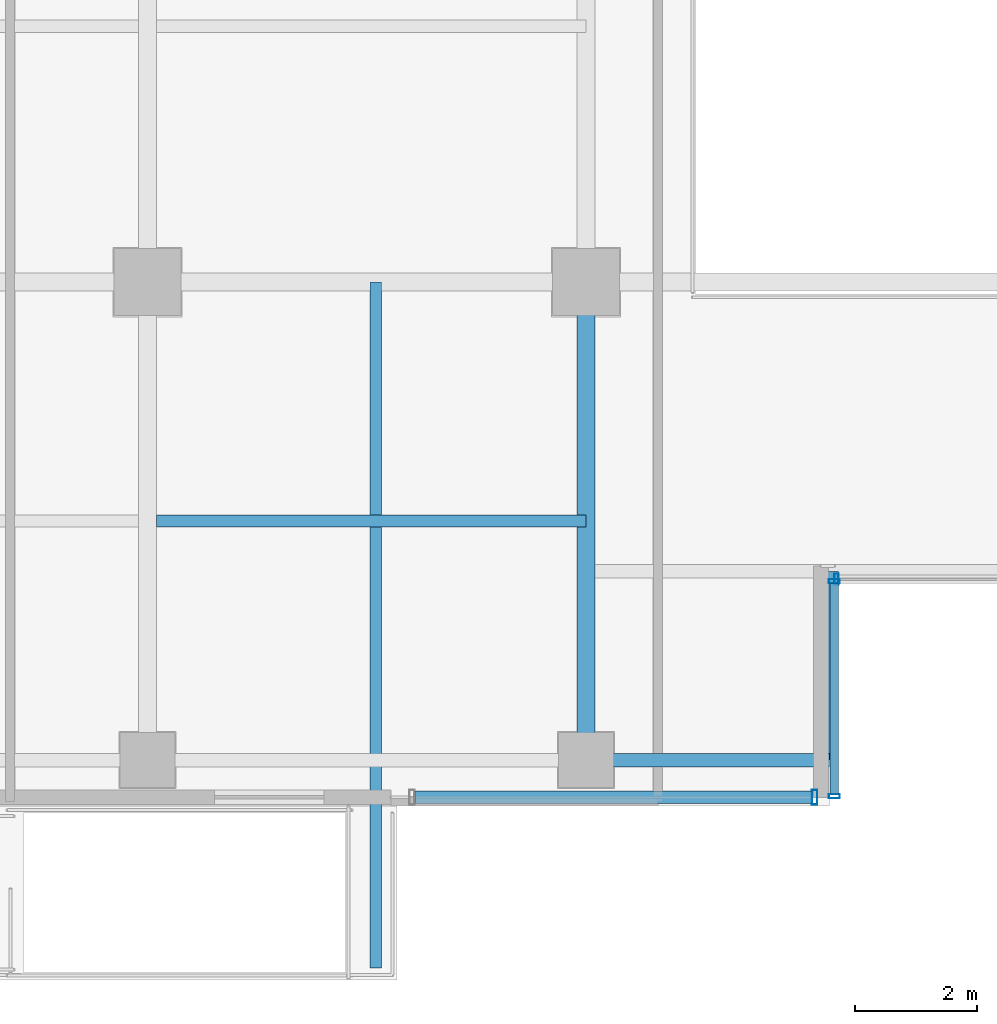
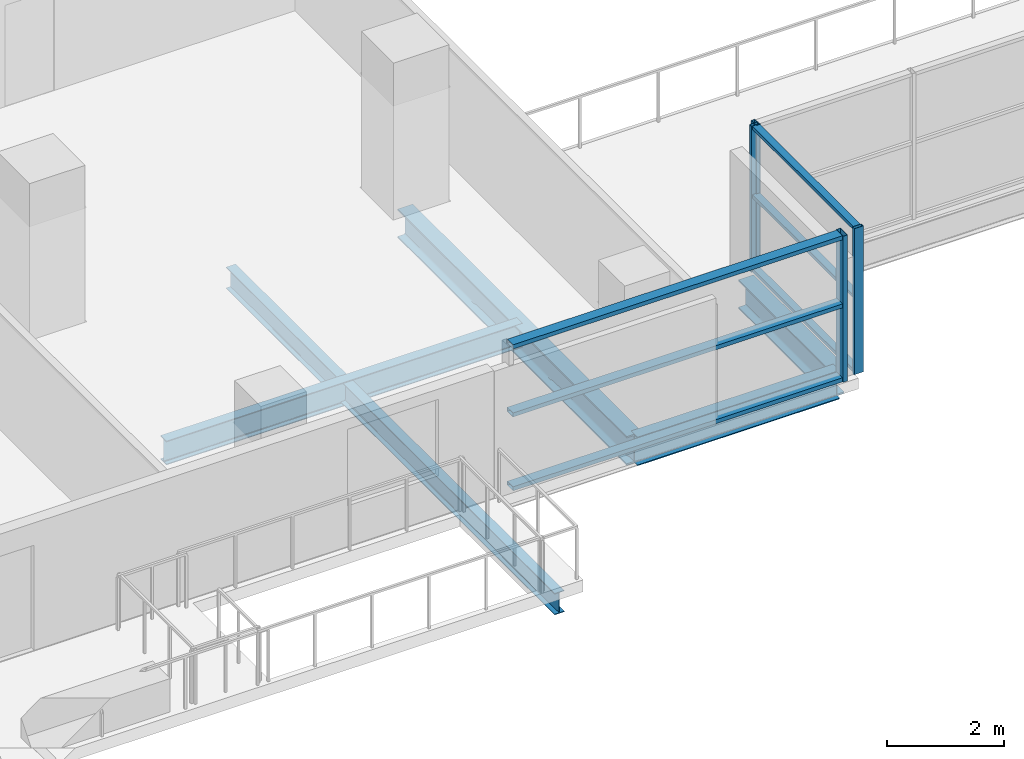
# One storey, part 6 of 30: 10 members, 5 beams, 3 elements without a shape of their own.
"""IFC4 building model written with IfcOpenShell, lengths in metres."""

from ifc_helpers import new_model, si_unit, direction, frame, origin, origin_2d, place, context, subcontext, project, spatial, hollow_rectangle, i_section, extrude, source, transform, mapped, material, layer, layer_set, material_profile, profile_set, type_object, element, aggregate, save


model = new_model("IFC4")

# Units and contexts
model_context = context("Model", 3, precision=1e-05, world=origin(), true_north=direction((0.0, 1.0)))
body_context = subcontext(model_context, "Body", "Model", "MODEL_VIEW")
ifc_project = project(units=[si_unit("LENGTHUNIT", "METRE"), si_unit("AREAUNIT", "SQUARE_METRE"), si_unit("VOLUMEUNIT", "CUBIC_METRE"), si_unit("PLANEANGLEUNIT", "RADIAN"), si_unit("MASSUNIT", "GRAM", prefix="KILO")], contexts=[model_context])

# Site, building, storey
site_placement = place(None, origin())
site = spatial("IfcSite", under=ifc_project, at=site_placement, CompositionType="ELEMENT")
building_placement = place(site_placement, origin())
building = spatial("IfcBuilding", under=site, at=building_placement, Name="Zarnakvel Exchange Tower", CompositionType="ELEMENT")
storey_placement = place(building_placement, frame((0.0, 0.0, 30.699951171875)))
storey = spatial("IfcBuildingStorey", under=building, at=storey_placement, Name="L07", CompositionType="ELEMENT", Elevation=30.699951171875)

# Beams
ifc_material_1 = material(Name="Steel S355", Category="steel")
ifc_material_profile_1 = material_profile(ifc_material_1, i_section(OverallWidth=0.199951171875, OverallDepth=0.5, WebThickness=0.01025390625, FlangeThickness=0.01611328125, FilletRadius=0.02099609375, at=origin_2d()))
ifc_profile_set_1 = profile_set([ifc_material_profile_1], Name="Steel S355")
beam_type_1 = type_object("IfcBeamType", Name="B-04", PredefinedType="JOIST", material=ifc_profile_set_1)
beam_1_placement = place(storey_placement, frame((-14.25, -13.52490234375, -0.474853515625), z_axis=(1.0, 0.0, 0.0), x_axis=(0.0, 1.0, 0.0)))
element("IfcBeam", 1, at=beam_1_placement, inside=storey, type_object=beam_type_1, Name="L07 Composite Floor Secondary Joist", PredefinedType="JOIST", context=body_context, shape_type="SweptSolid", body=[
    extrude(i_section(OverallWidth=0.199951171875, OverallDepth=0.5, WebThickness=0.01025390625, FlangeThickness=0.01611328125, FilletRadius=0.02099609375, at=origin_2d()), origin(), (0.0, 0.0, 1.0), 7.050048828125),
])
ifc_material_profile_2 = material_profile(ifc_material_1, i_section(OverallWidth=0.18994140625, OverallDepth=0.449951171875, WebThickness=0.009521484375, FlangeThickness=0.0146484375, FilletRadius=0.02099609375, at=origin_2d()))
ifc_profile_set_2 = profile_set([ifc_material_profile_2], Name="Steel S355")
beam_type_2 = type_object("IfcBeamType", Name="B-05", PredefinedType="JOIST", material=ifc_profile_set_2)
beam_2_placement = place(storey_placement, frame((-10.64990234375, -9.60009765625, -0.474853515625), z_axis=(0.0, -1.0, 0.0), x_axis=(1.0, 0.0, 0.0)))
element("IfcBeam", 2, at=beam_2_placement, inside=storey, type_object=beam_type_2, Name="L07 Continuous Spiral Terrace Beam E", PredefinedType="JOIST", context=body_context, shape_type="SweptSolid", body=[
    extrude(i_section(OverallWidth=0.18994140625, OverallDepth=0.449951171875, WebThickness=0.009521484375, FlangeThickness=0.0146484375, FilletRadius=0.02099609375, at=origin_2d()), origin(), (0.0, 0.0, 1.0), 11.260009765625),
])
ifc_material_profile_3 = material_profile(ifc_material_1, i_section(OverallWidth=0.300048828125, OverallDepth=0.60009765625, WebThickness=0.015380859375, FlangeThickness=0.030029296875, FilletRadius=0.027099609375, at=origin_2d()))
ifc_profile_set_3 = profile_set([ifc_material_profile_3], Name="Steel S355")
beam_type_3 = type_object("IfcBeamType", Name="G-04", PredefinedType="BEAM", material=ifc_profile_set_3)
beam_3_placement = place(storey_placement, frame((-3.199951171875, -17.449951171875, -0.52490234375), z_axis=(0.0, 1.0, 0.0), x_axis=(-1.0, 0.0, 0.0)))
element("IfcBeam", 3, at=beam_3_placement, inside=storey, type_object=beam_type_3, Name="L07 South Slot West Cheek Beam", PredefinedType="BEAM", context=body_context, shape_type="SweptSolid", body=[
    extrude(i_section(OverallWidth=0.300048828125, OverallDepth=0.60009765625, WebThickness=0.015380859375, FlangeThickness=0.030029296875, FilletRadius=0.027099609375, at=origin_2d()), origin(), (0.0, 0.0, 1.0), 3.099853515625),
])
beam_4_placement = place(storey_placement, frame((-7.199951171875, -17.449951171875, -0.52490234375), z_axis=(0.0, 1.0, 0.0), x_axis=(-1.0, 0.0, 0.0)))
element("IfcBeam", 4, at=beam_4_placement, inside=storey, type_object=beam_type_3, Name="L07 Tower N-S Frame Beam", PredefinedType="BEAM", context=body_context, shape_type="SweptSolid", body=[
    extrude(i_section(OverallWidth=0.300048828125, OverallDepth=0.60009765625, WebThickness=0.015380859375, FlangeThickness=0.030029296875, FilletRadius=0.027099609375, at=origin_2d()), origin(), (0.0, 0.0, 1.0), 7.849853515625),
])
ifc_material_profile_4 = material_profile(ifc_material_1, i_section(OverallWidth=0.219970703125, OverallDepth=0.60009765625, WebThickness=0.011962890625, FlangeThickness=0.01904296875, FilletRadius=0.02392578125, at=origin_2d()))
ifc_profile_set_4 = profile_set([ifc_material_profile_4], Name="Steel S355")
beam_type_4 = type_object("IfcBeamType", Name="SP-01", PredefinedType="SPANDREL", material=ifc_profile_set_4)
beam_5_placement = place(storey_placement, frame((-7.199951171875, -17.449951171875, -0.52490234375), z_axis=(1.0, 0.0, 0.0), x_axis=(0.0, 1.0, 0.0)))
element("IfcBeam", 5, at=beam_5_placement, inside=storey, type_object=beam_type_4, Name="L07 South Slot West Jamb Spandrel", PredefinedType="SPANDREL", context=body_context, shape_type="SweptSolid", body=[
    extrude(i_section(OverallWidth=0.219970703125, OverallDepth=0.60009765625, WebThickness=0.011962890625, FlangeThickness=0.01904296875, FilletRadius=0.02392578125, at=origin_2d()), origin(), (0.0, 0.0, 1.0), 4.0),
])

# Curtain wall, members
ifc_material_2 = material(Name="Architectural Bronze Anodised Aluminium", Category="aluminium")
ifc_layer_1 = layer(ifc_material_2, 0.179931640625)
ifc_layer_set_1 = layer_set([ifc_layer_1], Name="Architectural Bronze Anodised Aluminium")
curtain_wall_type_1 = type_object("IfcCurtainWallType", Name="CW-05", PredefinedType="NOTDEFINED", material=ifc_layer_set_1)
curtain_wall_1_placement = place(storey_placement, origin())
curtain_wall_1 = element("IfcCurtainWall", 6, at=curtain_wall_1_placement, inside=storey, type_object=curtain_wall_type_1, Name="L07 Curtain Wall CW-L07-SLW (CW-05)", PredefinedType="NOTDEFINED")
ifc_material_profile_5 = material_profile(ifc_material_2, hollow_rectangle(XDim=0.139892578125, YDim=0.070068359375, WallThickness=0.00390625, at=origin_2d()))
ifc_profile_set_5 = profile_set([ifc_material_profile_5], Name="Architectural Bronze Anodised Aluminium")
member_type_1 = type_object("IfcMemberType", Name="CWT-05", PredefinedType="USERDEFINED", material=ifc_profile_set_5)
shared_shape_1 = source(origin(), body_context, "Body", "SweptSolid", [
    extrude(hollow_rectangle(XDim=0.139892578125, YDim=0.070068359375, WallThickness=0.00390625, at=origin_2d()), origin(), (0.0, 0.0, 1.0), 3.4599609375),
])
member_1_placement = place(storey_placement, frame((-3.1201171875, -18.010009765625, 0.03515625), z_axis=(0.0, 1.0, 0.0), x_axis=(-1.0, 0.0, 0.0)))
member_1 = element("IfcMember", 7, at=member_1_placement, type_object=member_type_1, Name="CW-05 transom 1.1", ObjectType="TRANSOM", PredefinedType="USERDEFINED", context=body_context, shape_type="MappedRepresentation", body=[
    mapped(shared_shape_1, transform((0.0, 0.0, 0.0), x_axis=(1.0, 0.0, 0.0), y_axis=(0.0, 1.0, 0.0), z_axis=(0.0, 0.0, 1.0), scale=1.0)),
])
member_2_placement = place(storey_placement, frame((-3.1201171875, -18.010009765625, 1.588623046875), z_axis=(0.0, 1.0, 0.0), x_axis=(-1.0, 0.0, 0.0)))
member_2 = element("IfcMember", 8, at=member_2_placement, type_object=member_type_1, Name="CW-05 transom 1.2", ObjectType="TRANSOM", PredefinedType="USERDEFINED", context=body_context, shape_type="MappedRepresentation", body=[
    mapped(shared_shape_1, transform((0.0, 0.0, 0.0), x_axis=(1.0, 0.0, 0.0), y_axis=(0.0, 1.0, 0.0), z_axis=(0.0, 0.0, 1.0), scale=1.0)),
])
member_3_placement = place(storey_placement, frame((-3.1201171875, -18.010009765625, 3.02001953125), z_axis=(0.0, 1.0, 0.0), x_axis=(-1.0, 0.0, 0.0)))
member_3 = element("IfcMember", 9, at=member_3_placement, type_object=member_type_1, Name="CW-05 transom 1.3", ObjectType="TRANSOM", PredefinedType="USERDEFINED", context=body_context, shape_type="MappedRepresentation", body=[
    mapped(shared_shape_1, transform((0.0, 0.0, 0.0), x_axis=(1.0, 0.0, 0.0), y_axis=(0.0, 1.0, 0.0), z_axis=(0.0, 0.0, 1.0), scale=1.0)),
])

ifc_layer_2 = layer(ifc_material_2, 0.239990234375)
ifc_layer_set_2 = layer_set([ifc_layer_2], Name="Architectural Bronze Anodised Aluminium")
curtain_wall_type_2 = type_object("IfcCurtainWallType", Name="CW-02", PredefinedType="NOTDEFINED", material=ifc_layer_set_2)
curtain_wall_2_placement = place(storey_placement, origin())
curtain_wall_2 = element("IfcCurtainWall", 10, at=curtain_wall_2_placement, inside=storey, type_object=curtain_wall_type_2, Name="L07 Curtain Wall CW-L07-SW (CW-02)", PredefinedType="NOTDEFINED")
ifc_material_profile_6 = material_profile(ifc_material_2, hollow_rectangle(XDim=0.199951171875, YDim=0.0849609375, WallThickness=0.0048828125, at=origin_2d()))
ifc_profile_set_6 = profile_set([ifc_material_profile_6], Name="Architectural Bronze Anodised Aluminium")
member_type_2 = type_object("IfcMemberType", Name="CWT-02", PredefinedType="USERDEFINED", material=ifc_profile_set_6)
shared_shape_2 = source(origin(), body_context, "Body", "SweptSolid", [
    extrude(hollow_rectangle(XDim=0.199951171875, YDim=0.0849609375, WallThickness=0.0048828125, at=origin_2d()), origin(), (0.0, 0.0, 1.0), 6.52001953125),
])
member_4_placement = place(storey_placement, frame((-10.010009765625, -18.06005859375, 0.04248046875), z_axis=(1.0, 0.0, 0.0), x_axis=(0.0, 1.0, 0.0)))
member_4 = element("IfcMember", 11, at=member_4_placement, type_object=member_type_2, Name="CW-02 transom 1.1", ObjectType="TRANSOM", PredefinedType="USERDEFINED", context=body_context, shape_type="MappedRepresentation", body=[
    mapped(shared_shape_2, transform((0.0, 0.0, 0.0), x_axis=(1.0, 0.0, 0.0), y_axis=(0.0, 1.0, 0.0), z_axis=(0.0, 0.0, 1.0), scale=1.0)),
])
member_5_placement = place(storey_placement, frame((-10.010009765625, -18.06005859375, 1.588623046875), z_axis=(1.0, 0.0, 0.0), x_axis=(0.0, 1.0, 0.0)))
member_5 = element("IfcMember", 12, at=member_5_placement, type_object=member_type_2, Name="CW-02 transom 1.2", ObjectType="TRANSOM", PredefinedType="USERDEFINED", context=body_context, shape_type="MappedRepresentation", body=[
    mapped(shared_shape_2, transform((0.0, 0.0, 0.0), x_axis=(1.0, 0.0, 0.0), y_axis=(0.0, 1.0, 0.0), z_axis=(0.0, 0.0, 1.0), scale=1.0)),
])
member_6_placement = place(storey_placement, frame((-10.010009765625, -18.06005859375, 3.012451171875), z_axis=(1.0, 0.0, 0.0), x_axis=(0.0, 1.0, 0.0)))
member_6 = element("IfcMember", 13, at=member_6_placement, type_object=member_type_2, Name="CW-02 transom 1.3", ObjectType="TRANSOM", PredefinedType="USERDEFINED", context=body_context, shape_type="MappedRepresentation", body=[
    mapped(shared_shape_2, transform((0.0, 0.0, 0.0), x_axis=(1.0, 0.0, 0.0), y_axis=(0.0, 1.0, 0.0), z_axis=(0.0, 0.0, 1.0), scale=1.0)),
])

# Member
ifc_material_profile_7 = material_profile(ifc_material_2, hollow_rectangle(XDim=0.179931640625, YDim=0.070068359375, WallThickness=0.00390625, at=origin_2d()))
ifc_profile_set_7 = profile_set([ifc_material_profile_7], Name="Architectural Bronze Anodised Aluminium")
member_type_3 = type_object("IfcMemberType", Name="CWM-05", PredefinedType="MULLION", material=ifc_profile_set_7)
shared_shape_3 = source(origin(), body_context, "Body", "SweptSolid", [
    extrude(hollow_rectangle(XDim=0.179931640625, YDim=0.070068359375, WallThickness=0.00390625, at=origin_2d()), origin(), (0.0, 0.0, 1.0), 3.054931640625),
])
member_7_placement = place(storey_placement, frame((-3.1201171875, -18.044921875, 0.0), z_axis=(0.0, 0.0, 1.0), x_axis=(-1.0, 0.0, 0.0)))
member_7 = element("IfcMember", 14, at=member_7_placement, type_object=member_type_3, Name="CW-05 mullion 1", PredefinedType="MULLION", context=body_context, shape_type="MappedRepresentation", body=[
    mapped(shared_shape_3, transform((0.0, 0.0, 0.0), x_axis=(1.0, 0.0, 0.0), y_axis=(0.0, 1.0, 0.0), z_axis=(0.0, 0.0, 1.0), scale=1.0)),
])

member_8_placement = place(storey_placement, frame((-3.1201171875, -14.514892578125, 0.0), z_axis=(0.0, 0.0, 1.0), x_axis=(-1.0, 0.0, 0.0)))
member_8 = element("IfcMember", 15, at=member_8_placement, type_object=member_type_3, Name="CW-05 mullion 2", PredefinedType="MULLION", context=body_context, shape_type="MappedRepresentation", body=[
    mapped(shared_shape_3, transform((0.0, 0.0, 0.0), x_axis=(1.0, 0.0, 0.0), y_axis=(0.0, 1.0, 0.0), z_axis=(0.0, 0.0, 1.0), scale=1.0)),
])

aggregate(curtain_wall_1, [member_7, member_8, member_1, member_2, member_3])

# Curtain wall, member
curtain_wall_3_placement = place(storey_placement, origin())
curtain_wall_3 = element("IfcCurtainWall", 16, at=curtain_wall_3_placement, inside=storey, type_object=curtain_wall_type_1, Name="L07 Curtain Wall CW-L07-SLB (CW-05)", PredefinedType="NOTDEFINED")
member_9_placement = place(storey_placement, frame((-3.0849609375, -14.47998046875, 0.0), z_axis=(0.0, 0.0, 1.0), x_axis=(0.0, 1.0, 0.0)))
member_9 = element("IfcMember", 17, at=member_9_placement, type_object=member_type_3, Name="CW-05 mullion 1", PredefinedType="MULLION", context=body_context, shape_type="MappedRepresentation", body=[
    mapped(shared_shape_3, transform((0.0, 0.0, 0.0), x_axis=(1.0, 0.0, 0.0), y_axis=(0.0, 1.0, 0.0), z_axis=(0.0, 0.0, 1.0), scale=1.0)),
])
aggregate(curtain_wall_3, [member_9])

# Member
ifc_material_profile_8 = material_profile(ifc_material_2, hollow_rectangle(XDim=0.239990234375, YDim=0.090087890625, WallThickness=0.006103515625, at=origin_2d()))
ifc_profile_set_8 = profile_set([ifc_material_profile_8], Name="Architectural Bronze Anodised Aluminium")
member_type_4 = type_object("IfcMemberType", Name="CWM-02", PredefinedType="MULLION", material=ifc_profile_set_8)
shared_shape_4 = source(origin(), body_context, "Body", "SweptSolid", [
    extrude(hollow_rectangle(XDim=0.239990234375, YDim=0.090087890625, WallThickness=0.006103515625, at=origin_2d()), origin(), (0.0, 0.0, 1.0), 3.054931640625),
])
member_10_placement = place(storey_placement, frame((-3.445068359375, -18.06005859375, 0.0), z_axis=(0.0, 0.0, 1.0), x_axis=(0.0, 1.0, 0.0)))
member_10 = element("IfcMember", 18, at=member_10_placement, type_object=member_type_4, Name="CW-02 mullion 2", PredefinedType="MULLION", context=body_context, shape_type="MappedRepresentation", body=[
    mapped(shared_shape_4, transform((0.0, 0.0, 0.0), x_axis=(1.0, 0.0, 0.0), y_axis=(0.0, 1.0, 0.0), z_axis=(0.0, 0.0, 1.0), scale=1.0)),
])

aggregate(curtain_wall_2, [member_10, member_4, member_5, member_6])

save(model, "model.ifc")
